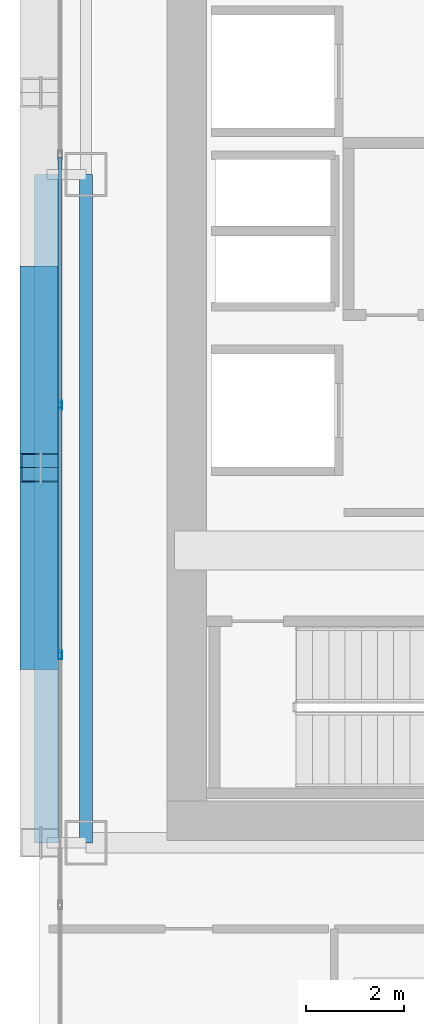
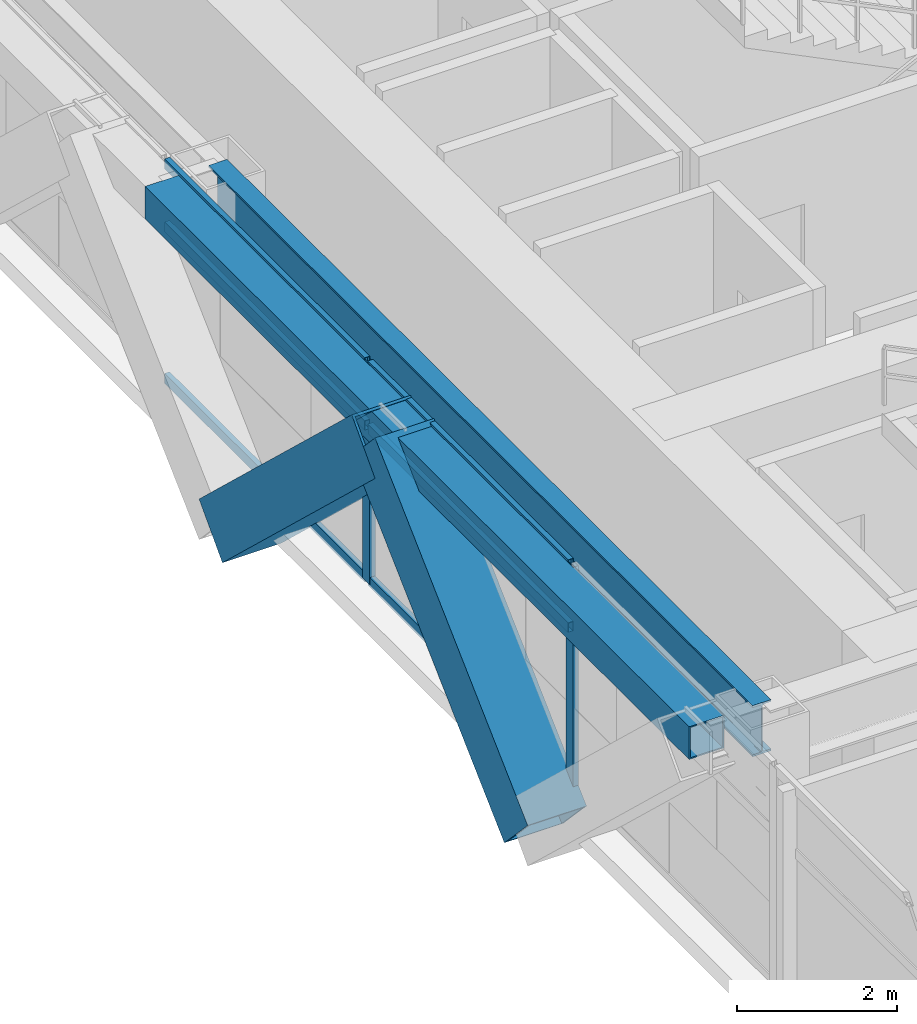
# One storey, part 7 of 41: 10 members, 2 beams, 1 element without a shape of its own.
"""IFC4 building model written with IfcOpenShell, lengths in metres."""

from ifc_helpers import new_model, si_unit, direction, frame, origin, origin_2d, place, context, subcontext, project, spatial, hollow_rectangle, i_section, extrude, source, transform, mapped, material, layer, layer_set, material_profile, profile_set, type_object, element, aggregate, save


model = new_model("IFC4")

# Units and contexts
model_context = context("Model", 3, precision=1e-05, world=origin(), true_north=direction((0.0, 1.0)))
body_context = subcontext(model_context, "Body", "Model", "MODEL_VIEW")
ifc_project = project(units=[si_unit("LENGTHUNIT", "METRE"), si_unit("AREAUNIT", "SQUARE_METRE"), si_unit("VOLUMEUNIT", "CUBIC_METRE"), si_unit("PLANEANGLEUNIT", "RADIAN"), si_unit("MASSUNIT", "GRAM", prefix="KILO")], contexts=[model_context])

# Site, building, storey
site_placement = place(None, origin())
site = spatial("IfcSite", under=ifc_project, at=site_placement, CompositionType="ELEMENT")
building_placement = place(site_placement, origin())
building = spatial("IfcBuilding", under=site, at=building_placement, Name="Ocotamira Hotel", CompositionType="ELEMENT")
storey_placement = place(building_placement, frame((0.0, 0.0, 67.199951171875)))
storey = spatial("IfcBuildingStorey", under=building, at=storey_placement, Name="L16", CompositionType="ELEMENT", Elevation=67.199951171875)

# Beams
ifc_material_1 = material(Name="Steel ASTM A992 Grade 50", Category="steel")
ifc_material_profile_1 = material_profile(ifc_material_1, i_section(OverallWidth=0.26611328125, OverallDepth=0.779052734375, WebThickness=0.0166015625, FlangeThickness=0.030029296875, FilletRadius=0.01806640625, at=origin_2d()), Name="W30X148")
ifc_profile_set_1 = profile_set([ifc_material_profile_1], Name="Steel ASTM A992 Grade 50")
beam_type_1 = type_object("IfcBeamType", Name="BM-GIRD-W30X148", PredefinedType="BEAM", material=ifc_profile_set_1)
shared_shape_1 = source(origin(), body_context, "Body", "SweptSolid", [
    extrude(i_section(OverallWidth=0.26611328125, OverallDepth=0.779052734375, WebThickness=0.0166015625, FlangeThickness=0.030029296875, FilletRadius=0.01806640625, at=origin_2d()), origin(), (0.0, 0.0, 1.0), 13.599853515625),
])
beam_1_placement = place(storey_placement, frame((8.949951171875, 14.550048828125, 2.96044921875), z_axis=(0.0, 1.0, 0.0), x_axis=(-1.0, 0.0, 0.0)))
element("IfcBeam", 1, at=beam_1_placement, inside=storey, type_object=beam_type_1, Name="L16 Beam X8.95 Y14.55-28.15", PredefinedType="BEAM", context=body_context, shape_type="MappedRepresentation", body=[
    mapped(shared_shape_1, transform((0.0, 0.0, 0.0), scale=1.0)),
])
ifc_material_2 = material(Name="Steel ASTM A500 Grade C", Category="steel")
ifc_material_profile_2 = material_profile(ifc_material_2, hollow_rectangle(XDim=0.5, YDim=0.5, WallThickness=0.02001953125, at=origin_2d()), Name="HSS500X500X20")
ifc_profile_set_2 = profile_set([ifc_material_profile_2], Name="Steel ASTM A500 Grade C")
beam_type_2 = type_object("IfcBeamType", Name="BM-SPAN-HSS500", PredefinedType="USERDEFINED", material=ifc_profile_set_2)
shared_shape_2 = source(origin(), body_context, "Body", "SweptSolid", [
    extrude(hollow_rectangle(XDim=0.5, YDim=0.5, WallThickness=0.02001953125, at=origin_2d()), origin(), (0.0, 0.0, 1.0), 13.599853515625),
])
beam_2_placement = place(storey_placement, frame((8.14990234375, 14.550048828125, 3.10009765625), z_axis=(0.0, 1.0, 0.0), x_axis=(-1.0, 0.0, 0.0)))
element("IfcBeam", 2, at=beam_2_placement, inside=storey, type_object=beam_type_2, Name="L16 Edge Spandrel W Y14.55-28.15", ObjectType="SPANDREL", PredefinedType="USERDEFINED", context=body_context, shape_type="MappedRepresentation", body=[
    mapped(shared_shape_2, transform((0.0, 0.0, 0.0), scale=1.0)),
])

# Members
ifc_material_3 = material(Name="Pale-metal coated steel ASTM A913 Grade 65", Category="steel")
ifc_material_profile_3 = material_profile(ifc_material_3, hollow_rectangle(XDim=0.85009765625, YDim=0.85009765625, WallThickness=0.035888671875, at=origin_2d()), Name="BOX850X850X36")
ifc_profile_set_3 = profile_set([ifc_material_profile_3], Name="Pale-metal coated steel ASTM A913 Grade 65")
member_type_1 = type_object("IfcMemberType", Name="MEM-EXO-BOX850", PredefinedType="BRACE", material=ifc_profile_set_3)
shared_shape_3 = source(origin(), body_context, "Body", "SweptSolid", [
    extrude(hollow_rectangle(XDim=0.85009765625, YDim=0.85009765625, WallThickness=0.035888671875, at=origin_2d()), origin(), (0.0, 0.0, 1.0), 5.24658203125),
])
for number, where, z_axis, x_axis, name in (
    (3, (8.030029296875, 18.36669921875, -0.5), (0.0, 0.727442733726, 0.686168397078), (-1.0, 0.0, 0.0), "L16 Exoskeleton Diagrid W0.2"),
    (4, (8.030029296875, 26.0, -0.5), (0.0, -0.727442733726, 0.686168397078), (1.0, 0.0, 0.0), "L16 Exoskeleton Diagrid W1.1"),
):
    element("IfcMember", number, at=place(storey_placement, frame(where, z_axis=z_axis, x_axis=x_axis)), inside=storey, type_object=member_type_1, Name=name, PredefinedType="BRACE", context=body_context, shape_type="MappedRepresentation", body=[
        mapped(shared_shape_3, transform((0.0, 0.0, 0.0), scale=1.0)),
    ])

# Curtain wall, members
ifc_material_4 = material(Name="Anodised pale-metal aluminium and solar glass", Category="aluminium")
ifc_layer = layer(ifc_material_4, 0.179931640625)
ifc_layer_set = layer_set([ifc_layer], Name="Anodised pale-metal aluminium and solar glass")
curtain_wall_type = type_object("IfcCurtainWallType", Name="CW-SYS2-Z1", PredefinedType="NOTDEFINED", material=ifc_layer_set)
curtain_wall_placement = place(storey_placement, origin())
curtain_wall = element("IfcCurtainWall", 5, at=curtain_wall_placement, inside=storey, type_object=curtain_wall_type, Name="L16 Curtain Wall CW-2 CW-L16-W", PredefinedType="NOTDEFINED")
ifc_material_5 = material(Name="Anodised pale-metal aluminium 6063-T6", Category="aluminium")
ifc_material_profile_4 = material_profile(ifc_material_5, hollow_rectangle(XDim=0.074951171875, YDim=0.14990234375, WallThickness=0.006103515625, at=origin_2d()), Name="HSS150X75X6")
ifc_profile_set_4 = profile_set([ifc_material_profile_4], Name="Anodised pale-metal aluminium 6063-T6")
member_type_2 = type_object("IfcMemberType", Name="CWT-150X75", PredefinedType="USERDEFINED", material=ifc_profile_set_4)
shared_shape_4 = source(origin(), body_context, "Body", "SweptSolid", [
    extrude(hollow_rectangle(XDim=0.074951171875, YDim=0.14990234375, WallThickness=0.006103515625, at=origin_2d()), origin(), (0.0, 0.0, 1.0), 5.005859375),
])
member_1_placement = place(storey_placement, frame((8.419921875, 18.411376953125, 0.03759765625), z_axis=(0.0, 1.0, 0.0), x_axis=(-1.0, 0.0, 0.0)))
member_1 = element("IfcMember", 6, at=member_1_placement, type_object=member_type_2, Name="CW-2 transom 3.1", ObjectType="TRANSOM", PredefinedType="USERDEFINED", context=body_context, shape_type="MappedRepresentation", body=[
    mapped(shared_shape_4, transform((0.0, 0.0, 0.0), scale=1.0)),
])
member_2_placement = place(storey_placement, frame((8.419921875, 18.411376953125, 2.35009765625), z_axis=(0.0, 1.0, 0.0), x_axis=(-1.0, 0.0, 0.0)))
member_2 = element("IfcMember", 7, at=member_2_placement, type_object=member_type_2, Name="CW-2 transom 3.2", ObjectType="TRANSOM", PredefinedType="USERDEFINED", context=body_context, shape_type="MappedRepresentation", body=[
    mapped(shared_shape_4, transform((0.0, 0.0, 0.0), scale=1.0)),
])
member_3_placement = place(storey_placement, frame((8.419921875, 18.411376953125, 3.3125), z_axis=(0.0, 1.0, 0.0), x_axis=(-1.0, 0.0, 0.0)))
member_3 = element("IfcMember", 8, at=member_3_placement, type_object=member_type_2, Name="CW-2 transom 3.3", ObjectType="TRANSOM", PredefinedType="USERDEFINED", context=body_context, shape_type="MappedRepresentation", body=[
    mapped(shared_shape_4, transform((0.0, 0.0, 0.0), scale=1.0)),
])
member_4_placement = place(storey_placement, frame((8.419921875, 23.4970703125, 0.03759765625), z_axis=(0.0, 1.0, 0.0), x_axis=(-1.0, 0.0, 0.0)))
member_4 = element("IfcMember", 9, at=member_4_placement, type_object=member_type_2, Name="CW-2 transom 4.1", ObjectType="TRANSOM", PredefinedType="USERDEFINED", context=body_context, shape_type="MappedRepresentation", body=[
    mapped(shared_shape_4, transform((0.0, 0.0, 0.0), scale=1.0)),
])
member_5_placement = place(storey_placement, frame((8.419921875, 23.4970703125, 2.35009765625), z_axis=(0.0, 1.0, 0.0), x_axis=(-1.0, 0.0, 0.0)))
member_5 = element("IfcMember", 10, at=member_5_placement, type_object=member_type_2, Name="CW-2 transom 4.2", ObjectType="TRANSOM", PredefinedType="USERDEFINED", context=body_context, shape_type="MappedRepresentation", body=[
    mapped(shared_shape_4, transform((0.0, 0.0, 0.0), scale=1.0)),
])
member_6_placement = place(storey_placement, frame((8.419921875, 23.4970703125, 3.3125), z_axis=(0.0, 1.0, 0.0), x_axis=(-1.0, 0.0, 0.0)))
member_6 = element("IfcMember", 11, at=member_6_placement, type_object=member_type_2, Name="CW-2 transom 4.3", ObjectType="TRANSOM", PredefinedType="USERDEFINED", context=body_context, shape_type="MappedRepresentation", body=[
    mapped(shared_shape_4, transform((0.0, 0.0, 0.0), scale=1.0)),
])
ifc_material_profile_5 = material_profile(ifc_material_5, hollow_rectangle(XDim=0.080078125, YDim=0.179931640625, WallThickness=0.006103515625, at=origin_2d()), Name="HSS180X80X6")
ifc_profile_set_5 = profile_set([ifc_material_profile_5], Name="Anodised pale-metal aluminium 6063-T6")
member_type_3 = type_object("IfcMemberType", Name="CWM-180X75", PredefinedType="MULLION", material=ifc_profile_set_5)
shared_shape_5 = source(origin(), body_context, "Body", "SweptSolid", [
    extrude(hollow_rectangle(XDim=0.080078125, YDim=0.179931640625, WallThickness=0.006103515625, at=origin_2d()), origin(), (0.0, 0.0, 1.0), 3.35009765625),
])
member_7_placement = place(storey_placement, frame((8.419921875, 18.371337890625, 0.0), z_axis=(0.0, 0.0, 1.0), x_axis=(-1.0, 0.0, 0.0)))
member_7 = element("IfcMember", 12, at=member_7_placement, type_object=member_type_3, Name="CW-2 mullion 3", PredefinedType="MULLION", context=body_context, shape_type="MappedRepresentation", body=[
    mapped(shared_shape_5, transform((0.0, 0.0, 0.0), scale=1.0)),
])
member_8_placement = place(storey_placement, frame((8.419921875, 23.45703125, 0.0), z_axis=(0.0, 0.0, 1.0), x_axis=(-1.0, 0.0, 0.0)))
member_8 = element("IfcMember", 13, at=member_8_placement, type_object=member_type_3, Name="CW-2 mullion 4", PredefinedType="MULLION", context=body_context, shape_type="MappedRepresentation", body=[
    mapped(shared_shape_5, transform((0.0, 0.0, 0.0), scale=1.0)),
])
aggregate(curtain_wall, [member_7, member_8, member_1, member_2, member_3, member_4, member_5, member_6])

save(model, "model.ifc")
